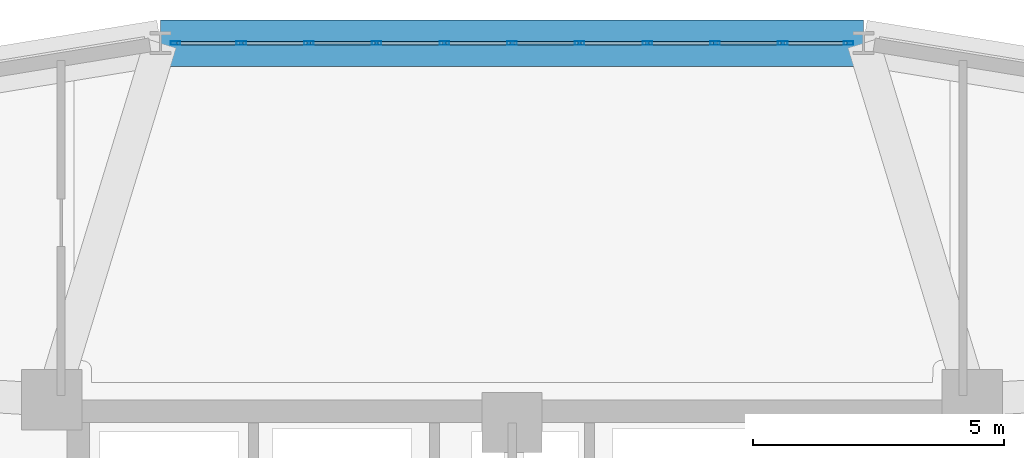
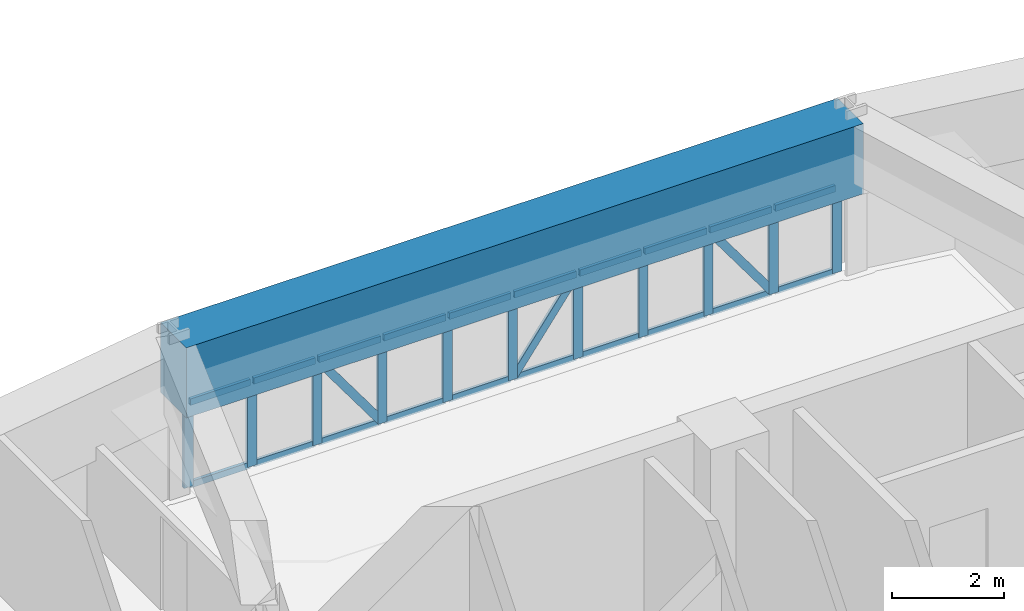
# One storey, part 8 of 15: 34 members, 1 beam, 1 element without a shape of its own.
"""IFC4 building model written with IfcOpenShell, lengths in metres."""

from ifc_helpers import new_model, si_unit, derived_unit, direction, frame, origin, origin_2d, place, context, subcontext, project, spatial, rectangle, hollow_rectangle, extrude, source, transform, mapped, material, layer, layer_set, material_profile, profile_set, type_object, element, aggregate, save


model = new_model("IFC4")

# Units and contexts
model_context = context("Model", 3, precision=1e-05, world=origin(), true_north=direction((0.0, 1.0)))
body_context = subcontext(model_context, "Body", "Model", "MODEL_VIEW")
ifc_project = project(units=[si_unit("LENGTHUNIT", "METRE"), si_unit("AREAUNIT", "SQUARE_METRE"), si_unit("VOLUMEUNIT", "CUBIC_METRE"), si_unit("PLANEANGLEUNIT", "RADIAN"), si_unit("MASSUNIT", "GRAM", prefix="KILO"), derived_unit("THERMALTRANSMITTANCEUNIT", [(si_unit("POWERUNIT", "WATT"), 1), (si_unit("LENGTHUNIT", "METRE"), -2), (si_unit("THERMODYNAMICTEMPERATUREUNIT", "KELVIN"), -1)])], contexts=[model_context])

# Site, building, storey
site_placement = place(None, origin())
site = spatial("IfcSite", under=ifc_project, at=site_placement, CompositionType="ELEMENT")
building_placement = place(site_placement, origin())
building = spatial("IfcBuilding", under=site, at=building_placement, Name="Korsvarv Bourse and Concert Hall", CompositionType="ELEMENT")
storey_placement = place(building_placement, frame((0.0, 0.0, 109.800048828125)))
storey = spatial("IfcBuildingStorey", under=building, at=storey_placement, Name="L27", CompositionType="ELEMENT", Elevation=109.800048828125)

# Beam
ifc_material_1 = material(Name="Concrete C50/60", Category="concrete")
ifc_material_profile_1 = material_profile(ifc_material_1, rectangle(XDim=0.919921875, YDim=1.530029296875, at=origin_2d()), Name="RC-BM 920x1530")
ifc_profile_set_1 = profile_set([ifc_material_profile_1], Name="Concrete C50/60")
beam_type = type_object("IfcBeamType", Name="BM-TR-154", PredefinedType="BEAM", material=ifc_profile_set_1)
shared_shape_1 = source(origin(), body_context, "Body", "SweptSolid", [
    extrude(rectangle(XDim=0.919921875, YDim=1.530029296875, at=origin_2d()), origin(), (0.0, 0.0, 1.0), 13.97607421875),
])
beam_placement = place(storey_placement, frame((42.988037109375, 54.344482421875, 2.635009765625), z_axis=(-1.0, 0.0, 0.0), x_axis=(0.0, -1.0, 0.0)))
element("IfcBeam", 1, at=beam_placement, inside=storey, type_object=beam_type, Name="L27 beam B-TR6", PredefinedType="BEAM", context=body_context, shape_type="MappedRepresentation", body=[
    mapped(shared_shape_1, transform((0.0, 0.0, 0.0), scale=1.0)),
])

# Curtain wall, members
ifc_material_2 = material(Name="Anodised aluminium and triple low-E glazing", Category="glass")
ifc_layer = layer(ifc_material_2, 0.2099609375)
ifc_layer_set = layer_set([ifc_layer], Name="Anodised aluminium and triple low-E glazing")
curtain_wall_type = type_object("IfcCurtainWallType", Name="CW-SYS-2", PredefinedType="NOTDEFINED", material=ifc_layer_set)
curtain_wall_placement = place(storey_placement, origin())
curtain_wall = element("IfcCurtainWall", 2, at=curtain_wall_placement, inside=storey, type_object=curtain_wall_type, Name="L27 CW2 curtain wall CW-L27-F03", PredefinedType="NOTDEFINED")
ifc_material_3 = material(Name="Extruded aluminium EN AW-6063 T66", Category="aluminium")
ifc_material_profile_2 = material_profile(ifc_material_3, hollow_rectangle(XDim=0.070068359375, YDim=0.18994140625, WallThickness=0.0048828125, at=origin_2d()), Name="ALU-M 70x190")
ifc_profile_set_2 = profile_set([ifc_material_profile_2], Name="Extruded aluminium EN AW-6063 T66")
member_type_1 = type_object("IfcMemberType", Name="CWM-190", PredefinedType="MULLION", material=ifc_profile_set_2)
shared_shape_2 = source(origin(), body_context, "Body", "SweptSolid", [
    extrude(hollow_rectangle(XDim=0.070068359375, YDim=0.18994140625, WallThickness=0.0048828125, at=origin_2d()), origin(), (0.0, 0.0, 1.0), 1.869873046875),
])
member_1_placement = place(storey_placement, frame((42.694091796875, 54.344482421875, 0.0), z_axis=(0.0, 0.0, 1.0), x_axis=(0.0, -1.0, 0.0)))
member_1 = element("IfcMember", 3, at=member_1_placement, type_object=member_type_1, Name="CW2 mullion 1", PredefinedType="MULLION", context=body_context, shape_type="MappedRepresentation", body=[
    mapped(shared_shape_2, transform((0.0, 0.0, 0.0), scale=1.0)),
])
member_2_placement = place(storey_placement, frame((41.38330078125, 54.344482421875, 0.0), z_axis=(0.0, 0.0, 1.0), x_axis=(0.0, -1.0, 0.0)))
member_2 = element("IfcMember", 4, at=member_2_placement, type_object=member_type_1, Name="CW2 mullion 2", PredefinedType="MULLION", context=body_context, shape_type="MappedRepresentation", body=[
    mapped(shared_shape_2, transform((0.0, 0.0, 0.0), scale=1.0)),
])
member_3_placement = place(storey_placement, frame((40.037353515625, 54.344482421875, 0.0), z_axis=(0.0, 0.0, 1.0), x_axis=(0.0, -1.0, 0.0)))
member_3 = element("IfcMember", 5, at=member_3_placement, type_object=member_type_1, Name="CW2 mullion 3", PredefinedType="MULLION", context=body_context, shape_type="MappedRepresentation", body=[
    mapped(shared_shape_2, transform((0.0, 0.0, 0.0), scale=1.0)),
])
member_4_placement = place(storey_placement, frame((38.691650390625, 54.344482421875, 0.0), z_axis=(0.0, 0.0, 1.0), x_axis=(0.0, -1.0, 0.0)))
member_4 = element("IfcMember", 6, at=member_4_placement, type_object=member_type_1, Name="CW2 mullion 4", PredefinedType="MULLION", context=body_context, shape_type="MappedRepresentation", body=[
    mapped(shared_shape_2, transform((0.0, 0.0, 0.0), scale=1.0)),
])
member_5_placement = place(storey_placement, frame((37.345703125, 54.344482421875, 0.0), z_axis=(0.0, 0.0, 1.0), x_axis=(0.0, -1.0, 0.0)))
member_5 = element("IfcMember", 7, at=member_5_placement, type_object=member_type_1, Name="CW2 mullion 5", PredefinedType="MULLION", context=body_context, shape_type="MappedRepresentation", body=[
    mapped(shared_shape_2, transform((0.0, 0.0, 0.0), scale=1.0)),
])
member_6_placement = place(storey_placement, frame((36.0, 54.344482421875, 0.0), z_axis=(0.0, 0.0, 1.0), x_axis=(0.0, -1.0, 0.0)))
member_6 = element("IfcMember", 8, at=member_6_placement, type_object=member_type_1, Name="CW2 mullion 6", PredefinedType="MULLION", context=body_context, shape_type="MappedRepresentation", body=[
    mapped(shared_shape_2, transform((0.0, 0.0, 0.0), scale=1.0)),
])
member_7_placement = place(storey_placement, frame((34.654296875, 54.344482421875, 0.0), z_axis=(0.0, 0.0, 1.0), x_axis=(0.0, -1.0, 0.0)))
member_7 = element("IfcMember", 9, at=member_7_placement, type_object=member_type_1, Name="CW2 mullion 7", PredefinedType="MULLION", context=body_context, shape_type="MappedRepresentation", body=[
    mapped(shared_shape_2, transform((0.0, 0.0, 0.0), scale=1.0)),
])
member_8_placement = place(storey_placement, frame((33.308349609375, 54.344482421875, 0.0), z_axis=(0.0, 0.0, 1.0), x_axis=(0.0, -1.0, 0.0)))
member_8 = element("IfcMember", 10, at=member_8_placement, type_object=member_type_1, Name="CW2 mullion 8", PredefinedType="MULLION", context=body_context, shape_type="MappedRepresentation", body=[
    mapped(shared_shape_2, transform((0.0, 0.0, 0.0), scale=1.0)),
])
member_9_placement = place(storey_placement, frame((31.962646484375, 54.344482421875, 0.0), z_axis=(0.0, 0.0, 1.0), x_axis=(0.0, -1.0, 0.0)))
member_9 = element("IfcMember", 11, at=member_9_placement, type_object=member_type_1, Name="CW2 mullion 9", PredefinedType="MULLION", context=body_context, shape_type="MappedRepresentation", body=[
    mapped(shared_shape_2, transform((0.0, 0.0, 0.0), scale=1.0)),
])
member_10_placement = place(storey_placement, frame((30.61669921875, 54.344482421875, 0.0), z_axis=(0.0, 0.0, 1.0), x_axis=(0.0, -1.0, 0.0)))
member_10 = element("IfcMember", 12, at=member_10_placement, type_object=member_type_1, Name="CW2 mullion 10", PredefinedType="MULLION", context=body_context, shape_type="MappedRepresentation", body=[
    mapped(shared_shape_2, transform((0.0, 0.0, 0.0), scale=1.0)),
])
member_11_placement = place(storey_placement, frame((29.305908203125, 54.344482421875, 0.0), z_axis=(0.0, 0.0, 1.0), x_axis=(0.0, -1.0, 0.0)))
member_11 = element("IfcMember", 13, at=member_11_placement, type_object=member_type_1, Name="CW2 mullion 11", PredefinedType="MULLION", context=body_context, shape_type="MappedRepresentation", body=[
    mapped(shared_shape_2, transform((0.0, 0.0, 0.0), scale=1.0)),
])
ifc_material_profile_3 = material_profile(ifc_material_3, hollow_rectangle(XDim=0.06494140625, YDim=0.139892578125, WallThickness=0.00390625, at=origin_2d()), Name="ALU-T 65x140")
ifc_profile_set_3 = profile_set([ifc_material_profile_3], Name="Extruded aluminium EN AW-6063 T66")
member_type_2 = type_object("IfcMemberType", Name="CWT-140", PredefinedType="USERDEFINED", material=ifc_profile_set_3)
shared_shape_3 = source(origin(), body_context, "Body", "SweptSolid", [
    extrude(hollow_rectangle(XDim=0.06494140625, YDim=0.139892578125, WallThickness=0.00390625, at=origin_2d()), origin(), (0.0, 0.0, 1.0), 1.24072265625),
])
member_12_placement = place(storey_placement, frame((42.658935546875, 54.344482421875, 0.032470703125), z_axis=(-1.0, 0.0, 0.0), x_axis=(0.0, -1.0, 0.0)))
member_12 = element("IfcMember", 14, at=member_12_placement, type_object=member_type_2, Name="CW2 transom 1.1", ObjectType="TRANSOM", PredefinedType="USERDEFINED", context=body_context, shape_type="MappedRepresentation", body=[
    mapped(shared_shape_3, transform((0.0, 0.0, 0.0), scale=1.0)),
])
member_13_placement = place(storey_placement, frame((42.658935546875, 54.344482421875, 1.83740234375), z_axis=(-1.0, 0.0, 0.0), x_axis=(0.0, -1.0, 0.0)))
member_13 = element("IfcMember", 15, at=member_13_placement, type_object=member_type_2, Name="CW2 transom 1.2", ObjectType="TRANSOM", PredefinedType="USERDEFINED", context=body_context, shape_type="MappedRepresentation", body=[
    mapped(shared_shape_3, transform((0.0, 0.0, 0.0), scale=1.0)),
])
member_14_placement = place(storey_placement, frame((30.581787109375, 54.344482421875, 0.032470703125), z_axis=(-1.0, 0.0, 0.0), x_axis=(0.0, -1.0, 0.0)))
member_14 = element("IfcMember", 16, at=member_14_placement, type_object=member_type_2, Name="CW2 transom 10.1", ObjectType="TRANSOM", PredefinedType="USERDEFINED", context=body_context, shape_type="MappedRepresentation", body=[
    mapped(shared_shape_3, transform((0.0, 0.0, 0.0), scale=1.0)),
])
member_15_placement = place(storey_placement, frame((30.581787109375, 54.344482421875, 1.83740234375), z_axis=(-1.0, 0.0, 0.0), x_axis=(0.0, -1.0, 0.0)))
member_15 = element("IfcMember", 17, at=member_15_placement, type_object=member_type_2, Name="CW2 transom 10.2", ObjectType="TRANSOM", PredefinedType="USERDEFINED", context=body_context, shape_type="MappedRepresentation", body=[
    mapped(shared_shape_3, transform((0.0, 0.0, 0.0), scale=1.0)),
])
shared_shape_4 = source(origin(), body_context, "Body", "SweptSolid", [
    extrude(hollow_rectangle(XDim=0.06494140625, YDim=0.139892578125, WallThickness=0.00390625, at=origin_2d()), origin(), (0.0, 0.0, 1.0), 1.275634765625),
])
member_16_placement = place(storey_placement, frame((41.34814453125, 54.344482421875, 0.032470703125), z_axis=(-1.0, 0.0, 0.0), x_axis=(0.0, -1.0, 0.0)))
member_16 = element("IfcMember", 18, at=member_16_placement, type_object=member_type_2, Name="CW2 transom 2.1", ObjectType="TRANSOM", PredefinedType="USERDEFINED", context=body_context, shape_type="MappedRepresentation", body=[
    mapped(shared_shape_4, transform((0.0, 0.0, 0.0), scale=1.0)),
])
member_17_placement = place(storey_placement, frame((41.34814453125, 54.344482421875, 1.83740234375), z_axis=(-1.0, 0.0, 0.0), x_axis=(0.0, -1.0, 0.0)))
member_17 = element("IfcMember", 19, at=member_17_placement, type_object=member_type_2, Name="CW2 transom 2.2", ObjectType="TRANSOM", PredefinedType="USERDEFINED", context=body_context, shape_type="MappedRepresentation", body=[
    mapped(shared_shape_4, transform((0.0, 0.0, 0.0), scale=1.0)),
])
member_18_placement = place(storey_placement, frame((38.656494140625, 54.344482421875, 0.032470703125), z_axis=(-1.0, 0.0, 0.0), x_axis=(0.0, -1.0, 0.0)))
member_18 = element("IfcMember", 20, at=member_18_placement, type_object=member_type_2, Name="CW2 transom 4.1", ObjectType="TRANSOM", PredefinedType="USERDEFINED", context=body_context, shape_type="MappedRepresentation", body=[
    mapped(shared_shape_4, transform((0.0, 0.0, 0.0), scale=1.0)),
])
member_19_placement = place(storey_placement, frame((38.656494140625, 54.344482421875, 1.83740234375), z_axis=(-1.0, 0.0, 0.0), x_axis=(0.0, -1.0, 0.0)))
member_19 = element("IfcMember", 21, at=member_19_placement, type_object=member_type_2, Name="CW2 transom 4.2", ObjectType="TRANSOM", PredefinedType="USERDEFINED", context=body_context, shape_type="MappedRepresentation", body=[
    mapped(shared_shape_4, transform((0.0, 0.0, 0.0), scale=1.0)),
])
member_20_placement = place(storey_placement, frame((34.619140625, 54.344482421875, 0.032470703125), z_axis=(-1.0, 0.0, 0.0), x_axis=(0.0, -1.0, 0.0)))
member_20 = element("IfcMember", 22, at=member_20_placement, type_object=member_type_2, Name="CW2 transom 7.1", ObjectType="TRANSOM", PredefinedType="USERDEFINED", context=body_context, shape_type="MappedRepresentation", body=[
    mapped(shared_shape_4, transform((0.0, 0.0, 0.0), scale=1.0)),
])
member_21_placement = place(storey_placement, frame((34.619140625, 54.344482421875, 1.83740234375), z_axis=(-1.0, 0.0, 0.0), x_axis=(0.0, -1.0, 0.0)))
member_21 = element("IfcMember", 23, at=member_21_placement, type_object=member_type_2, Name="CW2 transom 7.2", ObjectType="TRANSOM", PredefinedType="USERDEFINED", context=body_context, shape_type="MappedRepresentation", body=[
    mapped(shared_shape_4, transform((0.0, 0.0, 0.0), scale=1.0)),
])
member_22_placement = place(storey_placement, frame((31.927490234375, 54.344482421875, 0.032470703125), z_axis=(-1.0, 0.0, 0.0), x_axis=(0.0, -1.0, 0.0)))
member_22 = element("IfcMember", 24, at=member_22_placement, type_object=member_type_2, Name="CW2 transom 9.1", ObjectType="TRANSOM", PredefinedType="USERDEFINED", context=body_context, shape_type="MappedRepresentation", body=[
    mapped(shared_shape_4, transform((0.0, 0.0, 0.0), scale=1.0)),
])
member_23_placement = place(storey_placement, frame((31.927490234375, 54.344482421875, 1.83740234375), z_axis=(-1.0, 0.0, 0.0), x_axis=(0.0, -1.0, 0.0)))
member_23 = element("IfcMember", 25, at=member_23_placement, type_object=member_type_2, Name="CW2 transom 9.2", ObjectType="TRANSOM", PredefinedType="USERDEFINED", context=body_context, shape_type="MappedRepresentation", body=[
    mapped(shared_shape_4, transform((0.0, 0.0, 0.0), scale=1.0)),
])
ifc_material_profile_4 = material_profile(ifc_material_3, hollow_rectangle(XDim=0.06494140625, YDim=0.1650390625, WallThickness=0.0048828125, at=origin_2d()), Name="ALU-M 65x165")
ifc_profile_set_4 = profile_set([ifc_material_profile_4], Name="Extruded aluminium EN AW-6063 T66")
member_type_3 = type_object("IfcMemberType", Name="CWM-165", PredefinedType="MULLION", material=ifc_profile_set_4)
shared_shape_5 = source(origin(), body_context, "Body", "SweptSolid", [
    extrude(hollow_rectangle(XDim=0.06494140625, YDim=0.1650390625, WallThickness=0.0048828125, at=origin_2d()), origin(), (0.0, 0.0, 1.0), 2.157470703125),
])
member_24_placement = place(storey_placement, frame((41.34814453125, 54.344482421875, 0.06494140625), z_axis=(-0.591255732125, 0.0, 0.806484134518), x_axis=(0.0, -1.0, 0.0)))
member_24 = element("IfcMember", 26, at=member_24_placement, type_object=member_type_3, Name="CW2 diagonal mullion 2", PredefinedType="MULLION", context=body_context, shape_type="MappedRepresentation", body=[
    mapped(shared_shape_5, transform((0.0, 0.0, 0.0), scale=1.0)),
])
shared_shape_6 = source(origin(), body_context, "Body", "SweptSolid", [
    extrude(hollow_rectangle(XDim=0.06494140625, YDim=0.139892578125, WallThickness=0.00390625, at=origin_2d()), origin(), (0.0, 0.0, 1.0), 1.27587890625),
])
member_25_placement = place(storey_placement, frame((40.00244140625, 54.344482421875, 0.032470703125), z_axis=(-1.0, 0.0, 0.0), x_axis=(0.0, -1.0, 0.0)))
member_25 = element("IfcMember", 27, at=member_25_placement, type_object=member_type_2, Name="CW2 transom 3.1", ObjectType="TRANSOM", PredefinedType="USERDEFINED", context=body_context, shape_type="MappedRepresentation", body=[
    mapped(shared_shape_6, transform((0.0, 0.0, 0.0), scale=1.0)),
])
member_26_placement = place(storey_placement, frame((40.00244140625, 54.344482421875, 1.83740234375), z_axis=(-1.0, 0.0, 0.0), x_axis=(0.0, -1.0, 0.0)))
member_26 = element("IfcMember", 28, at=member_26_placement, type_object=member_type_2, Name="CW2 transom 3.2", ObjectType="TRANSOM", PredefinedType="USERDEFINED", context=body_context, shape_type="MappedRepresentation", body=[
    mapped(shared_shape_6, transform((0.0, 0.0, 0.0), scale=1.0)),
])
member_27_placement = place(storey_placement, frame((37.310791015625, 54.344482421875, 0.032470703125), z_axis=(-1.0, 0.0, 0.0), x_axis=(0.0, -1.0, 0.0)))
member_27 = element("IfcMember", 29, at=member_27_placement, type_object=member_type_2, Name="CW2 transom 5.1", ObjectType="TRANSOM", PredefinedType="USERDEFINED", context=body_context, shape_type="MappedRepresentation", body=[
    mapped(shared_shape_6, transform((0.0, 0.0, 0.0), scale=1.0)),
])
member_28_placement = place(storey_placement, frame((37.310791015625, 54.344482421875, 1.83740234375), z_axis=(-1.0, 0.0, 0.0), x_axis=(0.0, -1.0, 0.0)))
member_28 = element("IfcMember", 30, at=member_28_placement, type_object=member_type_2, Name="CW2 transom 5.2", ObjectType="TRANSOM", PredefinedType="USERDEFINED", context=body_context, shape_type="MappedRepresentation", body=[
    mapped(shared_shape_6, transform((0.0, 0.0, 0.0), scale=1.0)),
])
member_29_placement = place(storey_placement, frame((35.965087890625, 54.344482421875, 0.032470703125), z_axis=(-1.0, 0.0, 0.0), x_axis=(0.0, -1.0, 0.0)))
member_29 = element("IfcMember", 31, at=member_29_placement, type_object=member_type_2, Name="CW2 transom 6.1", ObjectType="TRANSOM", PredefinedType="USERDEFINED", context=body_context, shape_type="MappedRepresentation", body=[
    mapped(shared_shape_6, transform((0.0, 0.0, 0.0), scale=1.0)),
])
member_30_placement = place(storey_placement, frame((35.965087890625, 54.344482421875, 1.83740234375), z_axis=(-1.0, 0.0, 0.0), x_axis=(0.0, -1.0, 0.0)))
member_30 = element("IfcMember", 32, at=member_30_placement, type_object=member_type_2, Name="CW2 transom 6.2", ObjectType="TRANSOM", PredefinedType="USERDEFINED", context=body_context, shape_type="MappedRepresentation", body=[
    mapped(shared_shape_6, transform((0.0, 0.0, 0.0), scale=1.0)),
])
member_31_placement = place(storey_placement, frame((33.2734375, 54.344482421875, 0.032470703125), z_axis=(-1.0, 0.0, 0.0), x_axis=(0.0, -1.0, 0.0)))
member_31 = element("IfcMember", 33, at=member_31_placement, type_object=member_type_2, Name="CW2 transom 8.1", ObjectType="TRANSOM", PredefinedType="USERDEFINED", context=body_context, shape_type="MappedRepresentation", body=[
    mapped(shared_shape_6, transform((0.0, 0.0, 0.0), scale=1.0)),
])
member_32_placement = place(storey_placement, frame((33.2734375, 54.344482421875, 1.83740234375), z_axis=(-1.0, 0.0, 0.0), x_axis=(0.0, -1.0, 0.0)))
member_32 = element("IfcMember", 34, at=member_32_placement, type_object=member_type_2, Name="CW2 transom 8.2", ObjectType="TRANSOM", PredefinedType="USERDEFINED", context=body_context, shape_type="MappedRepresentation", body=[
    mapped(shared_shape_6, transform((0.0, 0.0, 0.0), scale=1.0)),
])
shared_shape_7 = source(origin(), body_context, "Body", "SweptSolid", [
    extrude(hollow_rectangle(XDim=0.06494140625, YDim=0.1650390625, WallThickness=0.0048828125, at=origin_2d()), origin(), (0.0, 0.0, 1.0), 2.15771484375),
])
member_33_placement = place(storey_placement, frame((36.034912109375, 54.344482421875, 0.06494140625), z_axis=(0.591329325232, 0.0, 0.806430176221), x_axis=(0.0, 1.0, 0.0)))
member_33 = element("IfcMember", 35, at=member_33_placement, type_object=member_type_3, Name="CW2 diagonal mullion 5", PredefinedType="MULLION", context=body_context, shape_type="MappedRepresentation", body=[
    mapped(shared_shape_7, transform((0.0, 0.0, 0.0), scale=1.0)),
])
member_34_placement = place(storey_placement, frame((33.2734375, 54.344482421875, 0.06494140625), z_axis=(-0.591329325232, 0.0, 0.806430176221), x_axis=(0.0, -1.0, 0.0)))
member_34 = element("IfcMember", 36, at=member_34_placement, type_object=member_type_3, Name="CW2 diagonal mullion 8", PredefinedType="MULLION", context=body_context, shape_type="MappedRepresentation", body=[
    mapped(shared_shape_7, transform((0.0, 0.0, 0.0), scale=1.0)),
])
aggregate(curtain_wall, [member_1, member_2, member_3, member_4, member_5, member_6, member_7, member_8, member_9, member_10, member_11, member_12, member_13, member_16, member_17, member_24, member_25, member_26, member_18, member_19, member_27, member_28, member_33, member_29, member_30, member_20, member_21, member_31, member_32, member_34, member_22, member_23, member_14, member_15])

save(model, "model.ifc")
